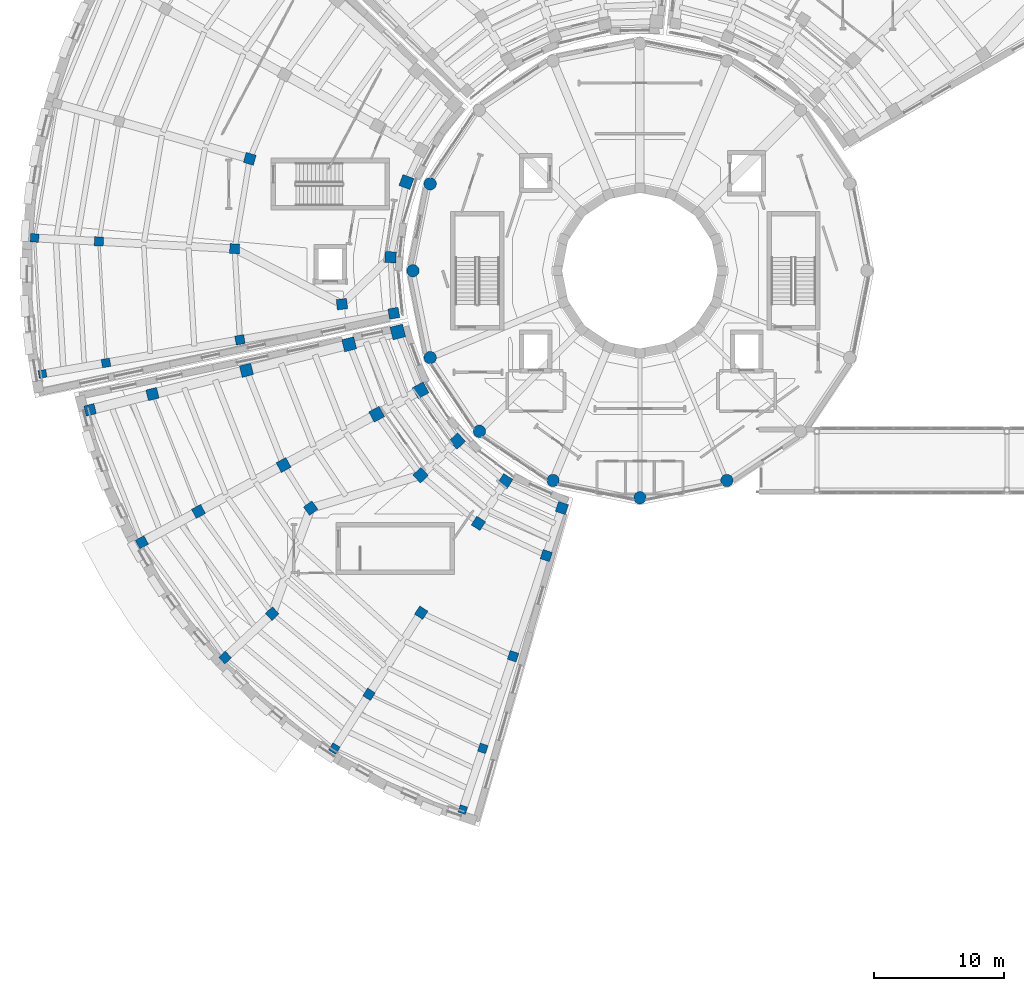
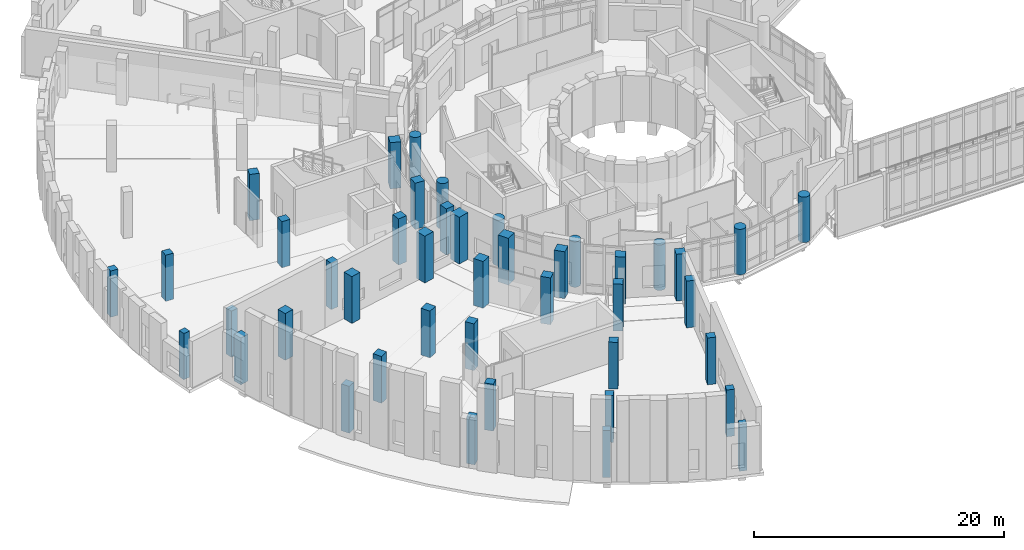
# One storey, part 1 of 89: 43 columns.
"""IFC4 building model written with IfcOpenShell, lengths in metres."""

import ifcopenshell
import ifcopenshell.guid

model = None  # the IFC model being written
_history = None  # IfcOwnerHistory: only IFC2X3 demands one
_inside = {}  # id of a spatial element -> (the spatial element, [elements in it])
_under = {}  # id of a project, library or spatial element -> (it, [spatial elements below it])
_declared = {}  # id of a project -> (the project, [libraries it declares])
_typed = {}  # id of a type object -> (the type object, [elements of that type])
_made_of = {}  # id of a material, layer set ... -> (it, [elements and type objects made of it])


def new_model(schema):
    """Start an empty IFC model of exactly this schema.

    Asked for "IFC4X3", IfcOpenShell would pick the latest addendum, in which some entities
    have other attributes; the version numbers below select the first issue.
    IFC2X3 requires an IfcOwnerHistory on every rooted entity: one is made here for all.
    """
    global model, _history
    if schema == "IFC4X3":
        model = ifcopenshell.file(schema_version=(4, 3, 0, 0))
    else:
        model = ifcopenshell.file(schema=schema)
    _inside.clear()
    _under.clear()
    _declared.clear()
    _typed.clear()
    _made_of.clear()
    _history = None
    if model.schema == "IFC2X3":
        org = make("IfcOrganization", Name="unknown")
        user = make(
            "IfcPersonAndOrganization",
            ThePerson=make("IfcPerson", FamilyName="unknown"),
            TheOrganization=org,
        )
        app = make(
            "IfcApplication",
            ApplicationDeveloper=org,
            Version="unknown",
            ApplicationFullName="unknown",
            ApplicationIdentifier="unknown",
        )
        _history = make(
            "IfcOwnerHistory",
            OwningUser=user,
            OwningApplication=app,
            ChangeAction="ADDED",
            CreationDate=0,
        )
    return model


def make(cls, **values):
    """One entity of the class cls with the attributes given. An attribute that is None is left unset."""
    return model.create_entity(
        cls, **{name: value for name, value in values.items() if value is not None}
    )


def rooted(cls, **values):
    """An entity with a GlobalId (a new one), such as an element, a storey or a relation."""
    return make(cls, GlobalId=ifcopenshell.guid.new(), OwnerHistory=_history, **values)


def si_unit(unit_type, name, prefix=None):
    """IfcSIUnit, for example si_unit("LENGTHUNIT", "METRE", prefix="MILLI")."""
    return make("IfcSIUnit", UnitType=unit_type, Prefix=prefix, Name=name)


def assignment(units):
    """IfcUnitAssignment: the units of a project."""
    return None if units is None else make("IfcUnitAssignment", Units=units)


def point(xyz):
    """IfcCartesianPoint."""
    return None if xyz is None else make("IfcCartesianPoint", Coordinates=xyz)


def direction(xyz):
    """IfcDirection."""
    return None if xyz is None else make("IfcDirection", DirectionRatios=xyz)


def frame(location, z_axis=None, x_axis=None):
    """IfcAxis2Placement3D, a coordinate frame: its origin and axes. An axis left out is left unset."""
    return make(
        "IfcAxis2Placement3D",
        Location=point(location),
        Axis=direction(z_axis),
        RefDirection=direction(x_axis),
    )


def frame_2d(location, x_axis=None):
    """IfcAxis2Placement2D, a coordinate frame in the plane: its origin and x axis."""
    return make(
        "IfcAxis2Placement2D", Location=point(location), RefDirection=direction(x_axis)
    )


def origin():
    """The frame at (0, 0, 0) with its axes left unset."""
    return frame((0.0, 0.0, 0.0))


def origin_2d():
    """The frame at (0, 0) in the plane with its x axis left unset."""
    return frame_2d((0.0, 0.0))


def place(relative_to, where):
    """IfcLocalPlacement: puts the frame where relative to a parent placement (None: the world)."""
    return make(
        "IfcLocalPlacement", PlacementRelTo=relative_to, RelativePlacement=where
    )


def context(
    kind, dimensions, precision=None, world=None, true_north=None, identifier=None
):
    """IfcGeometricRepresentationContext, for example the 3D "Model" context."""
    return make(
        "IfcGeometricRepresentationContext",
        ContextIdentifier=identifier,
        ContextType=kind,
        CoordinateSpaceDimension=dimensions,
        Precision=precision,
        WorldCoordinateSystem=world,
        TrueNorth=true_north,
    )


def subcontext(parent, identifier, kind, view, scale=None):
    """IfcGeometricRepresentationSubContext, for example "Body" below "Model"."""
    return make(
        "IfcGeometricRepresentationSubContext",
        ContextIdentifier=identifier,
        ContextType=kind,
        ParentContext=parent,
        TargetScale=scale,
        TargetView=view,
    )


def project(units=None, contexts=None):
    """IfcProject with its units and contexts."""
    return rooted(
        "IfcProject",
        Name="project",
        RepresentationContexts=contexts,
        UnitsInContext=assignment(units),
    )


def spatial(cls, under=None, at=None, **own):
    """A site, building, storey or space (cls), placed at a placement, below another one or the project."""
    s = rooted(cls, ObjectPlacement=at, **own)
    if under is not None:
        _under.setdefault(under.id(), (under, []))[1].append(s)
    return s


def profile(cls, at=None, kind="AREA", **sizes):
    """A parametric profile (cls). Its sizes go by their IFC names, for example OverallWidth=200.0."""
    return make(cls, ProfileType=kind, Position=at, **sizes)


def rectangle(**sizes):
    """IfcRectangleProfileDef."""
    return profile("IfcRectangleProfileDef", **sizes)


def circle(**sizes):
    """IfcCircleProfileDef."""
    return profile("IfcCircleProfileDef", **sizes)


def extrude(swept, where, along, depth):
    """IfcExtrudedAreaSolid: the profile swept, set in the frame where, extruded along a direction by depth."""
    return make(
        "IfcExtrudedAreaSolid",
        SweptArea=swept,
        Position=where,
        ExtrudedDirection=direction(along),
        Depth=depth,
    )


def shape(context_of_items, identifier, shape_type, items):
    """IfcShapeRepresentation: the items that make up one representation, for example the "Body"."""
    return make(
        "IfcShapeRepresentation",
        ContextOfItems=context_of_items,
        RepresentationIdentifier=identifier,
        RepresentationType=shape_type,
        Items=items,
    )


def material(Name=None, Category=None):
    """IfcMaterial."""
    return make("IfcMaterial", Name=Name, Category=Category)


def material_profile(
    of_material, cross_section, Name=None, Category=None, Priority=None
):
    """IfcMaterialProfile: a cross section and its material."""
    return make(
        "IfcMaterialProfile",
        Name=Name,
        Material=of_material,
        Profile=cross_section,
        Priority=Priority,
        Category=Category,
    )


def profile_set(profiles, Name=None, composite=None):
    """IfcMaterialProfileSet."""
    return make(
        "IfcMaterialProfileSet",
        Name=Name,
        MaterialProfiles=profiles,
        CompositeProfile=composite,
    )


def made_of(thing, what):
    """Note that an element or type object is made of a material, layer set ...; save() writes the relation."""
    if what is not None:
        _made_of.setdefault(what.id(), (what, []))[1].append(thing)
    return thing


def type_object(cls, material=None, **own):
    """A type object (cls), such as IfcWallType, which elements share."""
    return made_of(rooted(cls, **own), material)


def element(
    cls,
    number,
    at=None,
    inside=None,
    cuts=None,
    type_object=None,
    material=None,
    context=None,
    identifier="Body",
    shape_type=None,
    held_by="IfcProductDefinitionShape",
    body=None,
    shapes=None,
    **own,
):
    """One element of the class cls, such as IfcWall. Its Tag is "e" and its number.

    at: its placement. inside: the storey or other place that contains it. cuts: it is an
    opening in that element (IfcRelVoidsElement). A single representation is given by context,
    identifier, shape_type and body (its items); several are given by shapes. held_by: the class
    of the entity that holds the representations. save() writes the other relations.
    """
    e = rooted(cls, Tag="e%d" % number, ObjectPlacement=at, **own)
    if body is not None:
        shapes = [shape(context, identifier, shape_type, body)]
    if shapes is not None:
        e.Representation = make(held_by, Representations=shapes)
    if inside is not None:
        _inside.setdefault(inside.id(), (inside, []))[1].append(e)
    if cuts is not None:
        rooted(
            "IfcRelVoidsElement", RelatingBuildingElement=cuts, RelatedOpeningElement=e
        )
    if type_object is not None:
        _typed.setdefault(type_object.id(), (type_object, []))[1].append(e)
    return made_of(e, material)


def aggregate(whole, parts):
    """IfcRelAggregates: a whole, such as a stair, and the parts it consists of."""
    return rooted("IfcRelAggregates", RelatingObject=whole, RelatedObjects=parts)


def save(model, path):
    """Write the relations noted so far, then the file.

    IfcRelAggregates (storeys below a building ...), IfcRelContainedInSpatialStructure (elements
    in a storey), IfcRelDefinesByType, IfcRelAssociatesMaterial and IfcRelDeclares: one each for
    every whole, place, type object, material and project.
    """
    for whole, parts in _under.values():
        aggregate(whole, parts)
    for where, things in _inside.values():
        rooted(
            "IfcRelContainedInSpatialStructure",
            RelatedElements=things,
            RelatingStructure=where,
        )
    for kind, things in _typed.values():
        rooted("IfcRelDefinesByType", RelatedObjects=things, RelatingType=kind)
    for what, things in _made_of.values():
        rooted("IfcRelAssociatesMaterial", RelatedObjects=things, RelatingMaterial=what)
    for by, libraries in _declared.values():
        rooted("IfcRelDeclares", RelatingContext=by, RelatedDefinitions=libraries)
    model.write(path)


model = new_model("IFC4")

# Units and contexts
model_context = context("Model", 3, precision=1e-05, world=origin(), true_north=direction((0.0, 1.0)))
body_context = subcontext(model_context, "Body", "Model", "MODEL_VIEW")
ifc_project = project(units=[si_unit("LENGTHUNIT", "METRE"), si_unit("AREAUNIT", "SQUARE_METRE"), si_unit("VOLUMEUNIT", "CUBIC_METRE"), si_unit("PLANEANGLEUNIT", "RADIAN"), si_unit("MASSUNIT", "GRAM", prefix="KILO")], contexts=[model_context])

# Site, building, storey
site_placement = place(None, origin())
site = spatial("IfcSite", under=ifc_project, at=site_placement, CompositionType="ELEMENT")
building_placement = place(site_placement, origin())
building = spatial("IfcBuilding", under=site, at=building_placement, Name="Soyqirgoq Riverine Aquarium", CompositionType="ELEMENT")
storey_placement = place(building_placement, frame((0.0, 0.0, 5.39990234375)))
storey = spatial("IfcBuildingStorey", under=building, at=storey_placement, Name="L02", CompositionType="ELEMENT", Elevation=5.39990234375)

# Columns
ifc_material_1 = material(Name="Concrete C40/50", Category="concrete")
ifc_material_profile_1 = material_profile(ifc_material_1, circle(Radius=0.47509765625, at=origin_2d()), Name="RC-COL D950")
ifc_profile_set_1 = profile_set([ifc_material_profile_1], Name="Concrete C40/50")
column_type_1 = type_object("IfcColumnType", Name="Col_Circ_D950", PredefinedType="COLUMN", material=ifc_profile_set_1)
for number, where, z_axis, x_axis, name in (
    (1, (39.87841796875, 63.677734375, 0.0), (0.0, 0.0, 1.0), (-0.923879532511, 0.382683432365, 0.0), "V1 Column V1-CO08 L02"),
    (2, (38.550048828125, 57.0, 0.0), (0.0, 0.0, 1.0), (-1.0, 0.0, 0.0), "V1 Column V1-CO09 L02"),
    (3, (39.87841796875, 50.322265625, 0.0), (0.0, 0.0, 1.0), (-0.923879532511, -0.382683432365, 0.0), "V1 Column V1-CO10 L02"),
    (4, (43.660888671875, 44.660888671875, 0.0), (0.0, 0.0, 1.0), (-0.707106781187, -0.707106781187, 0.0), "V1 Column V1-CO11 L02"),
    (5, (49.322265625, 40.87841796875, 0.0), (0.0, 0.0, 1.0), (-0.382683432365, -0.923879532511, 0.0), "V1 Column V1-CO12 L02"),
    (6, (56.0, 39.550048828125, 0.0), (0.0, 0.0, 1.0), (0.0, -1.0, 0.0), "V1 Column V1-CO13 L02"),
    (7, (62.677734375, 40.87841796875, 0.0), (0.0, 0.0, 1.0), (0.382683432365, -0.923879532511, 0.0), "V1 Column V1-CO14 L02"),
):
    element("IfcColumn", number, at=place(storey_placement, frame(where, z_axis=z_axis, x_axis=x_axis)), inside=storey, type_object=column_type_1, Name=name, PredefinedType="COLUMN", context=body_context, shape_type="SweptSolid", body=[
        extrude(circle(Radius=0.47509765625, at=origin_2d()), origin(), (0.0, 0.0, 1.0), 4.4501953125),
    ])
ifc_material_2 = material(Name="Concrete C40/50", Category="concrete")
ifc_material_profile_2 = material_profile(ifc_material_2, rectangle(XDim=1.0, YDim=1.0, at=origin_2d()), Name="RC 1000x1000")
ifc_profile_set_2 = profile_set([ifc_material_profile_2], Name="Concrete C40/50")
column_type_2 = type_object("IfcColumnType", Name="Col_RC_1000x1000", PredefinedType="COLUMN", material=ifc_profile_set_2)
column_1_placement = place(storey_placement, frame((37.38671875, 52.2900390625, 0.0), z_axis=(0.0, 0.0, 1.0), x_axis=(-0.969445349895, -0.245307385879, 0.0)))
element("IfcColumn", 8, at=column_1_placement, inside=storey, type_object=column_type_2, Name="V2 Column V2-CR1-01 L02", PredefinedType="COLUMN", context=body_context, shape_type="SweptSolid", body=[
    extrude(rectangle(XDim=1.0, YDim=1.0, at=origin_2d()), origin(), (0.0, 0.0, 1.0), 4.580078125),
])
ifc_material_3 = material(Name="Concrete C40/50", Category="concrete")
ifc_material_profile_3 = material_profile(ifc_material_3, rectangle(XDim=0.60009765625, YDim=0.60009765625, at=origin_2d()), Name="RC 600x600")
ifc_profile_set_3 = profile_set([ifc_material_profile_3], Name="Concrete C40/50")
column_type_3 = type_object("IfcColumnType", Name="Col_RC_600x600", PredefinedType="COLUMN", material=ifc_profile_set_3)
column_2_placement = place(storey_placement, frame((42.382080078125, 15.581298828125, 0.0), z_axis=(0.0, 0.0, 1.0), x_axis=(-0.312334918512, -0.949972051525, 0.0)))
element("IfcColumn", 9, at=column_2_placement, inside=storey, type_object=column_type_3, Name="V2 Column V2-CR5-05 L02", PredefinedType="COLUMN", context=body_context, shape_type="SweptSolid", body=[
    extrude(rectangle(XDim=0.60009765625, YDim=0.60009765625, at=origin_2d()), origin(), (0.0, 0.0, 1.0), 4.580078125),
])
column_3_placement = place(storey_placement, frame((10.080078125, 49.068115234375, 0.0), z_axis=(0.0, 0.0, 1.0), x_axis=(-0.985407898483, -0.170209499166, 0.0)))
element("IfcColumn", 10, at=column_3_placement, inside=storey, type_object=column_type_3, Name="V3 Column V3-CR5-05 L02", PredefinedType="COLUMN", context=body_context, shape_type="SweptSolid", body=[
    extrude(rectangle(XDim=0.60009765625, YDim=0.60009765625, at=origin_2d()), origin(), (0.0, 0.0, 1.0), 4.52001953125),
])
ifc_material_4 = material(Name="Concrete C40/50", Category="concrete")
ifc_material_profile_4 = material_profile(ifc_material_4, rectangle(XDim=0.64990234375, YDim=0.64990234375, at=origin_2d()), Name="RC 650x650")
ifc_profile_set_4 = profile_set([ifc_material_profile_4], Name="Concrete C40/50")
column_type_4 = type_object("IfcColumnType", Name="Col_RC_650x650", PredefinedType="COLUMN", material=ifc_profile_set_4)
for number, where, z_axis, x_axis, name in (
    (11, (32.509521484375, 20.26904296875, 0.0), (0.0, 0.0, 1.0), (-0.538770785007, -0.842452397007, 0.0), "V2 Column V2-CR5-04 L02"),
    (12, (43.92822265625, 20.28369140625, 0.0), (0.0, 0.0, 1.0), (-0.312334918512, -0.949972051525, 0.0), "V2 Column V2-CR4-05 L02"),
):
    element("IfcColumn", number, at=place(storey_placement, frame(where, z_axis=z_axis, x_axis=x_axis)), inside=storey, type_object=column_type_4, Name=name, PredefinedType="COLUMN", context=body_context, shape_type="SweptSolid", body=[
        extrude(rectangle(XDim=0.64990234375, YDim=0.64990234375, at=origin_2d()), origin(), (0.0, 0.0, 1.0), 4.580078125),
    ])
for number, where, z_axis, x_axis, name in (
    (13, (9.46826171875, 59.52001953125, 0.0), (0.0, 0.0, 1.0), (-0.998536670326, 0.054078812985, 0.0), "V3 Column V3-CR5-04 L02"),
    (14, (14.957763671875, 49.910888671875, 0.0), (0.0, 0.0, 1.0), (-0.985407898483, -0.170209499166, 0.0), "V3 Column V3-CR4-05 L02"),
):
    element("IfcColumn", number, at=place(storey_placement, frame(where, z_axis=z_axis, x_axis=x_axis)), inside=storey, type_object=column_type_4, Name=name, PredefinedType="COLUMN", context=body_context, shape_type="SweptSolid", body=[
        extrude(rectangle(XDim=0.64990234375, YDim=0.64990234375, at=origin_2d()), origin(), (0.0, 0.0, 1.0), 4.52001953125),
    ])
ifc_material_5 = material(Name="Concrete C40/50", Category="concrete")
ifc_material_profile_5 = material_profile(ifc_material_5, rectangle(XDim=0.699951171875, YDim=0.699951171875, at=origin_2d()), Name="RC 700x700")
ifc_profile_set_5 = profile_set([ifc_material_profile_5], Name="Concrete C40/50")
column_type_5 = type_object("IfcColumnType", Name="Col_RC_700x700", PredefinedType="COLUMN", material=ifc_profile_set_5)
for number, where, z_axis, x_axis, name in (
    (15, (24.113037109375, 27.264892578125, 0.0), (0.0, 0.0, 1.0), (-0.731353701619, -0.681998360062, 0.0), "V2 Column V2-CR5-03 L02"),
    (16, (35.176513671875, 24.439208984375, 0.0), (0.0, 0.0, 1.0), (-0.538770785007, -0.842452397007, 0.0), "V2 Column V2-CR4-04 L02"),
    (17, (46.255126953125, 27.36083984375, 0.0), (0.0, 0.0, 1.0), (-0.312334918512, -0.949972051525, 0.0), "V2 Column V2-CR3-05 L02"),
):
    element("IfcColumn", number, at=place(storey_placement, frame(where, z_axis=z_axis, x_axis=x_axis)), inside=storey, type_object=column_type_5, Name=name, PredefinedType="COLUMN", context=body_context, shape_type="SweptSolid", body=[
        extrude(rectangle(XDim=0.699951171875, YDim=0.699951171875, at=origin_2d()), origin(), (0.0, 0.0, 1.0), 4.580078125),
    ])
for number, where, z_axis, x_axis, name in (
    (18, (14.410888671875, 59.25244140625, 0.0), (0.0, 0.0, 1.0), (-0.998536670326, 0.054078812985, 0.0), "V3 Column V3-CR4-04 L02"),
    (19, (25.25537109375, 51.689453125, 0.0), (0.0, 0.0, 1.0), (-0.985407898483, -0.170209499166, 0.0), "V3 Column V3-CR3-05 L02"),
):
    element("IfcColumn", number, at=place(storey_placement, frame(where, z_axis=z_axis, x_axis=x_axis)), inside=storey, type_object=column_type_5, Name=name, PredefinedType="COLUMN", context=body_context, shape_type="SweptSolid", body=[
        extrude(rectangle(XDim=0.699951171875, YDim=0.699951171875, at=origin_2d()), origin(), (0.0, 0.0, 1.0), 4.52001953125),
    ])
ifc_material_6 = material(Name="Concrete C40/50", Category="concrete")
ifc_material_profile_6 = material_profile(ifc_material_6, rectangle(XDim=0.75, YDim=0.75, at=origin_2d()), Name="RC 750x750")
ifc_profile_set_6 = profile_set([ifc_material_profile_6], Name="Concrete C40/50")
column_type_6 = type_object("IfcColumnType", Name="Col_RC_750x750", PredefinedType="COLUMN", material=ifc_profile_set_6)
for number, where, z_axis, x_axis, name in (
    (20, (17.719970703125, 36.12890625, 0.0), (0.0, 0.0, 1.0), (-0.877982975428, -0.478691857941, 0.0), "V2 Column V2-CR5-02 L02"),
    (21, (27.733154296875, 30.640869140625, 0.0), (0.0, 0.0, 1.0), (-0.731353701619, -0.681998360062, 0.0), "V2 Column V2-CR4-03 L02"),
    (22, (39.1904296875, 30.715576171875, 0.0), (0.0, 0.0, 1.0), (-0.538770785007, -0.842452397007, 0.0), "V2 Column V2-CR3-04 L02"),
    (23, (48.80078125, 35.10302734375, 0.0), (0.0, 0.0, 1.0), (-0.312334918512, -0.949972051525, 0.0), "V2 Column V2-CR2-05 L02"),
):
    element("IfcColumn", number, at=place(storey_placement, frame(where, z_axis=z_axis, x_axis=x_axis)), inside=storey, type_object=column_type_6, Name=name, PredefinedType="COLUMN", context=body_context, shape_type="SweptSolid", body=[
        extrude(rectangle(XDim=0.75, YDim=0.75, at=origin_2d()), origin(), (0.0, 0.0, 1.0), 4.580078125),
    ])
column_4_placement = place(storey_placement, frame((24.845703125, 58.687255859375, 0.0), z_axis=(0.0, 0.0, 1.0), x_axis=(-0.998536670326, 0.054078812985, 0.0)))
element("IfcColumn", 24, at=column_4_placement, inside=storey, type_object=column_type_6, Name="V3 Column V3-CR3-04 L02", PredefinedType="COLUMN", context=body_context, shape_type="SweptSolid", body=[
    extrude(rectangle(XDim=0.75, YDim=0.75, at=origin_2d()), origin(), (0.0, 0.0, 1.0), 4.52001953125),
])
ifc_material_7 = material(Name="Concrete C40/50", Category="concrete")
ifc_material_profile_7 = material_profile(ifc_material_7, rectangle(XDim=0.800048828125, YDim=0.800048828125, at=origin_2d()), Name="RC 800x800")
ifc_profile_set_7 = profile_set([ifc_material_profile_7], Name="Concrete C40/50")
column_type_7 = type_object("IfcColumnType", Name="Col_RC_800x800", PredefinedType="COLUMN", material=ifc_profile_set_7)
for number, where, z_axis, x_axis, name in (
    (25, (13.732177734375, 46.3046875, 0.0), (0.0, 0.0, 1.0), (-0.969445349895, -0.245307385879, 0.0), "V2 Column V2-CR5-01 L02"),
    (26, (22.06591796875, 38.49853515625, 0.0), (0.0, 0.0, 1.0), (-0.877982975428, -0.478691857941, 0.0), "V2 Column V2-CR4-02 L02"),
    (27, (30.69482421875, 38.749267578125, 0.0), (0.0, 0.0, 1.0), (-0.811063818989, -0.584957674987, 0.0), "V2 Column V2-CR3-03 L02"),
    (28, (43.581298828125, 37.58154296875, 0.0), (0.0, 0.0, 1.0), (-0.538770785007, -0.842452397007, 0.0), "V2 Column V2-CR2-04 L02"),
    (29, (50.003173828125, 38.760498046875, 0.0), (0.0, 0.0, 1.0), (-0.312334918512, -0.949972051525, 0.0), "V2 Column V2-CR1-05 L02"),
):
    element("IfcColumn", number, at=place(storey_placement, frame(where, z_axis=z_axis, x_axis=x_axis)), inside=storey, type_object=column_type_7, Name=name, PredefinedType="COLUMN", context=body_context, shape_type="SweptSolid", body=[
        extrude(rectangle(XDim=0.800048828125, YDim=0.800048828125, at=origin_2d()), origin(), (0.0, 0.0, 1.0), 4.580078125),
    ])
for number, where, z_axis, x_axis, name in (
    (30, (26.008544921875, 65.599853515625, 0.0), (0.0, 0.0, 1.0), (-0.961261695938, 0.275637355817, 0.0), "V3 Column V3-CR3-03 L02"),
    (31, (33.093505859375, 54.4306640625, 0.0), (0.0, 0.0, 1.0), (-0.993767919161, -0.111468932206, 0.0), "V3 Column V3-CR2-04 L02"),
    (32, (37.080078125, 53.73193359375, 0.0), (0.0, 0.0, 1.0), (-0.985407898483, -0.170209499166, 0.0), "V3 Column V3-CR1-05 L02"),
):
    element("IfcColumn", number, at=place(storey_placement, frame(where, z_axis=z_axis, x_axis=x_axis)), inside=storey, type_object=column_type_7, Name=name, PredefinedType="COLUMN", context=body_context, shape_type="SweptSolid", body=[
        extrude(rectangle(XDim=0.800048828125, YDim=0.800048828125, at=origin_2d()), origin(), (0.0, 0.0, 1.0), 4.52001953125),
    ])
ifc_material_8 = material(Name="Concrete C40/50", Category="concrete")
ifc_material_profile_8 = material_profile(ifc_material_8, rectangle(XDim=0.85009765625, YDim=0.85009765625, at=origin_2d()), Name="RC 850x850")
ifc_profile_set_8 = profile_set([ifc_material_profile_8], Name="Concrete C40/50")
column_type_8 = type_object("IfcColumnType", Name="Col_RC_850x850", PredefinedType="COLUMN", material=ifc_profile_set_8)
for number, where, z_axis, x_axis, name in (
    (33, (18.531005859375, 47.518798828125, 0.0), (0.0, 0.0, 1.0), (-0.969445349895, -0.245307385879, 0.0), "V2 Column V2-CR4-01 L02"),
    (34, (28.60693359375, 42.064697265625, 0.0), (0.0, 0.0, 1.0), (-0.877982975428, -0.478691857941, 0.0), "V2 Column V2-CR3-02 L02"),
    (35, (39.142333984375, 41.27978515625, 0.0), (0.0, 0.0, 1.0), (-0.731353701619, -0.681998360062, 0.0), "V2 Column V2-CR2-03 L02"),
    (36, (45.655517578125, 40.824951171875, 0.0), (0.0, 0.0, 1.0), (-0.538770785007, -0.842452397007, 0.0), "V2 Column V2-CR1-04 L02"),
):
    element("IfcColumn", number, at=place(storey_placement, frame(where, z_axis=z_axis, x_axis=x_axis)), inside=storey, type_object=column_type_8, Name=name, PredefinedType="COLUMN", context=body_context, shape_type="SweptSolid", body=[
        extrude(rectangle(XDim=0.85009765625, YDim=0.85009765625, at=origin_2d()), origin(), (0.0, 0.0, 1.0), 4.580078125),
    ])
column_5_placement = place(storey_placement, frame((36.828125, 58.038330078125, 0.0), z_axis=(0.0, 0.0, 1.0), x_axis=(-0.998536670326, 0.054078812985, 0.0)))
element("IfcColumn", 37, at=column_5_placement, inside=storey, type_object=column_type_8, Name="V3 Column V3-CR1-04 L02", PredefinedType="COLUMN", context=body_context, shape_type="SweptSolid", body=[
    extrude(rectangle(XDim=0.85009765625, YDim=0.85009765625, at=origin_2d()), origin(), (0.0, 0.0, 1.0), 4.52001953125),
])
ifc_material_9 = material(Name="Concrete C40/50", Category="concrete")
ifc_material_profile_9 = material_profile(ifc_material_9, rectangle(XDim=0.89990234375, YDim=0.89990234375, at=origin_2d()), Name="RC 900x900")
ifc_profile_set_9 = profile_set([ifc_material_profile_9], Name="Concrete C40/50")
column_type_9 = type_object("IfcColumnType", Name="Col_RC_900x900", PredefinedType="COLUMN", material=ifc_profile_set_9)
for number, where, z_axis, x_axis, name in (
    (38, (25.75341796875, 49.346435546875, 0.0), (0.0, 0.0, 1.0), (-0.969445349895, -0.245307385879, 0.0), "V2 Column V2-CR3-01 L02"),
    (39, (35.762451171875, 45.96630859375, 0.0), (0.0, 0.0, 1.0), (-0.877982975428, -0.478691857941, 0.0), "V2 Column V2-CR2-02 L02"),
    (40, (41.9580078125, 43.905517578125, 0.0), (0.0, 0.0, 1.0), (-0.731353701619, -0.681998360062, 0.0), "V2 Column V2-CR1-03 L02"),
):
    element("IfcColumn", number, at=place(storey_placement, frame(where, z_axis=z_axis, x_axis=x_axis)), inside=storey, type_object=column_type_9, Name=name, PredefinedType="COLUMN", context=body_context, shape_type="SweptSolid", body=[
        extrude(rectangle(XDim=0.89990234375, YDim=0.89990234375, at=origin_2d()), origin(), (0.0, 0.0, 1.0), 4.580078125),
    ])
column_6_placement = place(storey_placement, frame((38.05126953125, 63.818115234375, 0.0), z_axis=(0.0, 0.0, 1.0), x_axis=(-0.934825676396, 0.355106962408, 0.0)))
element("IfcColumn", 41, at=column_6_placement, inside=storey, type_object=column_type_9, Name="V3 Column V3-CR1-03 L02", PredefinedType="COLUMN", context=body_context, shape_type="SweptSolid", body=[
    extrude(rectangle(XDim=0.89990234375, YDim=0.89990234375, at=origin_2d()), origin(), (0.0, 0.0, 1.0), 4.52001953125),
])
ifc_material_10 = material(Name="Concrete C40/50", Category="concrete")
ifc_material_profile_10 = material_profile(ifc_material_10, rectangle(XDim=0.949951171875, YDim=0.949951171875, at=origin_2d()), Name="RC 950x950")
ifc_profile_set_10 = profile_set([ifc_material_profile_10], Name="Concrete C40/50")
column_type_10 = type_object("IfcColumnType", Name="Col_RC_950x950", PredefinedType="COLUMN", material=ifc_profile_set_10)
for number, where, z_axis, x_axis, name in (
    (42, (33.654296875, 51.345703125, 0.0), (0.0, 0.0, 1.0), (-0.969445349895, -0.245307385879, 0.0), "V2 Column V2-CR2-01 L02"),
    (43, (39.142578125, 47.80908203125, 0.0), (0.0, 0.0, 1.0), (-0.877982975428, -0.478691857941, 0.0), "V2 Column V2-CR1-02 L02"),
):
    element("IfcColumn", number, at=place(storey_placement, frame(where, z_axis=z_axis, x_axis=x_axis)), inside=storey, type_object=column_type_10, Name=name, PredefinedType="COLUMN", context=body_context, shape_type="SweptSolid", body=[
        extrude(rectangle(XDim=0.949951171875, YDim=0.949951171875, at=origin_2d()), origin(), (0.0, 0.0, 1.0), 4.580078125),
    ])

save(model, "model.ifc")
